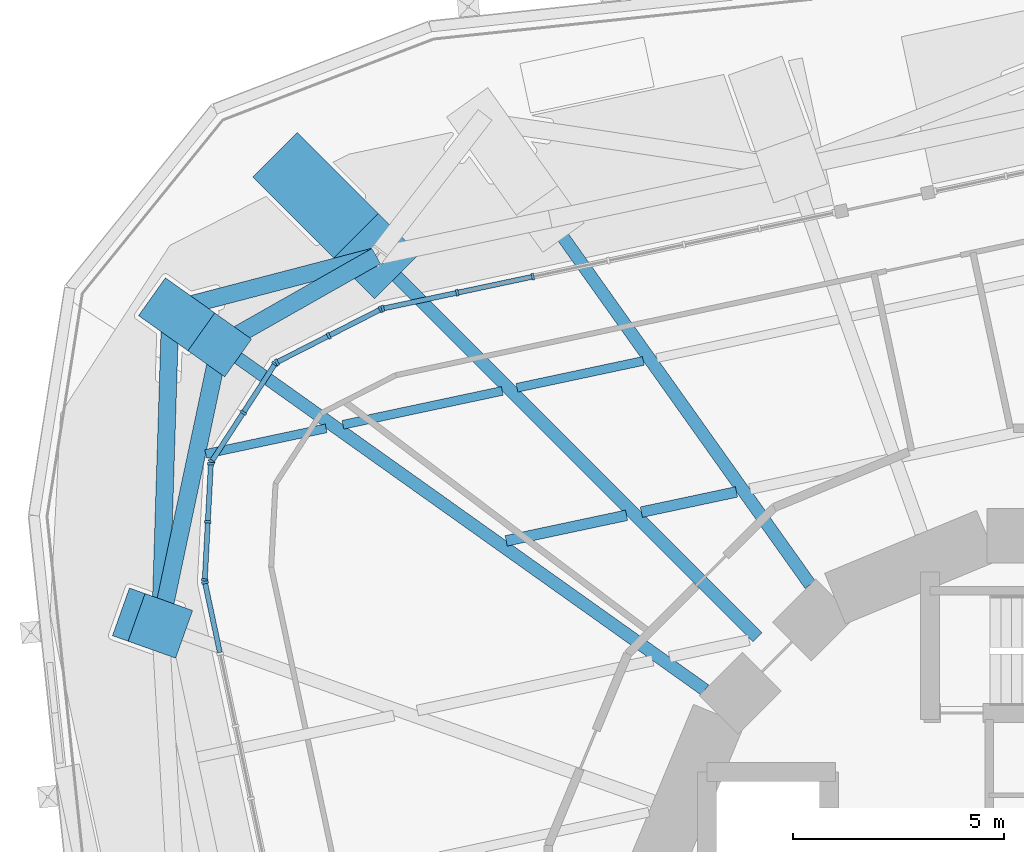
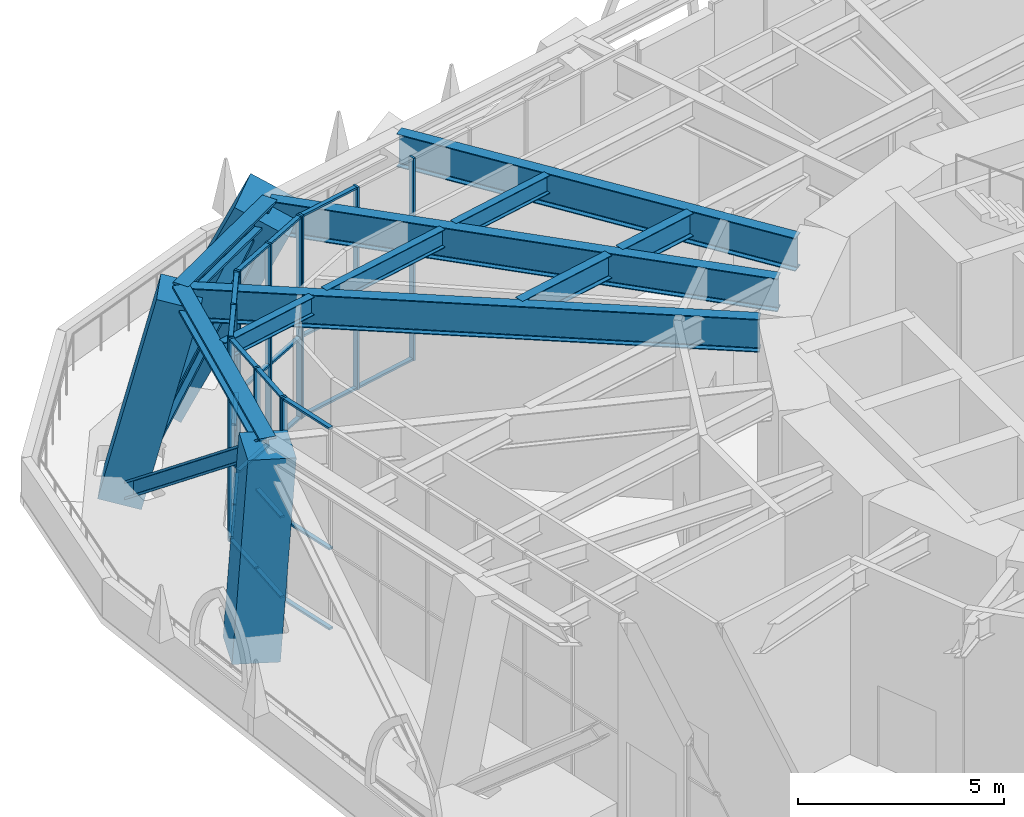
# One storey, part 8 of 23: 45 members, 8 beams, 5 elements without a shape of their own.
"""IFC4 building model written with IfcOpenShell, lengths in metres."""

from ifc_helpers import new_model, si_unit, direction, frame, origin, origin_2d, place, context, subcontext, project, spatial, rectangle, i_section, extrude, material, material_profile, profile_set, type_object, element, aggregate, save


model = new_model("IFC4")

# Units and contexts
model_context = context("Model", 3, precision=1e-05, world=origin(), true_north=direction((0.0, 1.0)))
body_context = subcontext(model_context, "Body", "Model", "MODEL_VIEW")
ifc_project = project(units=[si_unit("LENGTHUNIT", "METRE"), si_unit("AREAUNIT", "SQUARE_METRE"), si_unit("VOLUMEUNIT", "CUBIC_METRE"), si_unit("PLANEANGLEUNIT", "RADIAN"), si_unit("MASSUNIT", "GRAM", prefix="KILO")], contexts=[model_context])

# Site, building, storey
site_placement = place(None, origin())
site = spatial("IfcSite", under=ifc_project, at=site_placement, CompositionType="ELEMENT")
building_placement = place(site_placement, origin())
building = spatial("IfcBuilding", under=site, at=building_placement, Name="Nakasero Lantern House", CompositionType="ELEMENT")
storey_placement = place(building_placement, frame((0.0, 0.0, 95.14990234375)))
storey = spatial("IfcBuildingStorey", under=building, at=storey_placement, Name="L23", CompositionType="ELEMENT", Elevation=95.14990234375)

# Members
ifc_material_1 = material(Name="Steel S355", Category="steel")
ifc_material_profile_1 = material_profile(ifc_material_1, i_section(OverallWidth=0.41845703125, OverallDepth=0.45556640625, WebThickness=0.0419921875, FlangeThickness=0.0673828125, FilletRadius=0.01513671875, at=origin_2d()), Name="UC 356x406x551")
ifc_profile_set_1 = profile_set([ifc_material_profile_1], Name="Steel S355")
member_type_1 = type_object("IfcMemberType", Name="Belt truss chord UC 356x406x551", PredefinedType="CHORD", material=ifc_profile_set_1)
member_1_placement = place(storey_placement, frame((-16.44091796875, 16.44091796875, 5.572265625), z_axis=(-0.869814536213, -0.493378832737, 0.0), x_axis=(0.493378832737, -0.869814536213, 0.0)))
element("IfcMember", 1, at=member_1_placement, inside=storey, type_object=member_type_1, Name="Belt truss top chord T2 B3-C12T", PredefinedType="CHORD", context=body_context, shape_type="SweptSolid", body=[
    extrude(i_section(OverallWidth=0.41845703125, OverallDepth=0.45556640625, WebThickness=0.0419921875, FlangeThickness=0.0673828125, FilletRadius=0.01513671875, at=origin_2d()), origin(), (0.0, 0.0, 1.0), 4.271484375),
])
member_2_placement = place(storey_placement, frame((-20.15625, 14.33349609375, 5.572265625), z_axis=(-0.206833925052, -0.978376066473, 0.0), x_axis=(0.978376066473, -0.206833925052, 0.0)))
element("IfcMember", 2, at=member_2_placement, inside=storey, type_object=member_type_1, Name="Belt truss top chord T2 B3-C13T", PredefinedType="CHORD", context=body_context, shape_type="SweptSolid", body=[
    extrude(i_section(OverallWidth=0.41845703125, OverallDepth=0.45556640625, WebThickness=0.0419921875, FlangeThickness=0.0673828125, FilletRadius=0.01513671875, at=origin_2d()), origin(), (0.0, 0.0, 1.0), 6.81298828125),
])
ifc_material_2 = material(Name="Steel S355", Category="steel")
ifc_material_profile_2 = material_profile(ifc_material_2, i_section(OverallWidth=0.412109375, OverallDepth=0.4365234375, WebThickness=0.035888671875, FlangeThickness=0.05810546875, FilletRadius=0.01513671875, at=origin_2d()), Name="UC 356x406x467")
ifc_profile_set_2 = profile_set([ifc_material_profile_2], Name="Steel S355")
member_type_2 = type_object("IfcMemberType", Name="Belt truss diagonal UC 356x406x467", PredefinedType="BRACE", material=ifc_profile_set_2)
member_3_placement = place(storey_placement, frame((-16.44091796875, 16.44091796875, 5.572265625), z_axis=(-0.623129628635, -0.162498709171, -0.765051393982), x_axis=(0.252339246204, -0.967638829743, 0.0)))
element("IfcMember", 3, at=member_3_placement, inside=storey, type_object=member_type_2, Name="Belt truss diagonal T2-12", PredefinedType="BRACE", context=body_context, shape_type="SweptSolid", body=[
    extrude(i_section(OverallWidth=0.412109375, OverallDepth=0.4365234375, WebThickness=0.035888671875, FlangeThickness=0.05810546875, FilletRadius=0.01513671875, at=origin_2d()), origin(), (0.0, 0.0, 1.0), 7.842529296875),
])
member_4_placement = place(storey_placement, frame((-21.327880859375, 15.16650390625, -0.427734375), z_axis=(-0.024727487549, -0.78058045227, 0.624566016441), x_axis=(0.999498618934, -0.031662450146, 0.0)))
element("IfcMember", 4, at=member_4_placement, inside=storey, type_object=member_type_2, Name="Belt truss diagonal T2-13", PredefinedType="BRACE", context=body_context, shape_type="SweptSolid", body=[
    extrude(i_section(OverallWidth=0.412109375, OverallDepth=0.4365234375, WebThickness=0.035888671875, FlangeThickness=0.05810546875, FilletRadius=0.01513671875, at=origin_2d()), origin(), (0.0, 0.0, 1.0), 9.606689453125),
])

# Beams
ifc_material_3 = material(Name="Steel S355", Category="steel")
ifc_material_profile_3 = material_profile(ifc_material_3, i_section(OverallWidth=0.2099609375, OverallDepth=0.53662109375, WebThickness=0.0107421875, FlangeThickness=0.017333984375, FilletRadius=0.0126953125, at=origin_2d()), Name="UB 533x210x101")
ifc_profile_set_3 = profile_set([ifc_material_profile_3], Name="Steel S355")
beam_type_1 = type_object("IfcBeamType", Name="Infill beam UB 533x210x101", PredefinedType="JOIST", material=ifc_profile_set_3)
beam_1_placement = place(storey_placement, frame((-20.4892578125, 11.746826171875, 5.53173828125), z_axis=(0.978160550121, 0.207850759411, 0.0), x_axis=(-0.207850759411, 0.978160550121, 0.0)))
element("IfcBeam", 5, at=beam_1_placement, inside=storey, type_object=beam_type_1, Name="Infill beam L24 12.1", PredefinedType="JOIST", context=body_context, shape_type="SweptSolid", body=[
    extrude(i_section(OverallWidth=0.2099609375, OverallDepth=0.53662109375, WebThickness=0.0107421875, FlangeThickness=0.017333984375, FilletRadius=0.0126953125, at=origin_2d()), origin(), (0.0, 0.0, 1.0), 2.921142578125),
])
beam_2_placement = place(storey_placement, frame((-17.233154296875, 12.438720703125, 5.53173828125), z_axis=(0.978136843294, 0.207962294158, 0.0), x_axis=(-0.207962294158, 0.978136843294, 0.0)))
element("IfcBeam", 6, at=beam_2_placement, inside=storey, type_object=beam_type_1, Name="Infill beam L24 12.2", PredefinedType="JOIST", context=body_context, shape_type="SweptSolid", body=[
    extrude(i_section(OverallWidth=0.2099609375, OverallDepth=0.53662109375, WebThickness=0.0107421875, FlangeThickness=0.017333984375, FilletRadius=0.0126953125, at=origin_2d()), origin(), (0.0, 0.0, 1.0), 3.863525390625),
])
beam_3_placement = place(storey_placement, frame((-13.104248046875, 13.31640625, 5.53173828125), z_axis=(0.978143865523, 0.207929262829, 0.0), x_axis=(-0.207929262829, 0.978143865523, 0.0)))
element("IfcBeam", 7, at=beam_3_placement, inside=storey, type_object=beam_type_1, Name="Infill beam L24 12.3", PredefinedType="JOIST", context=body_context, shape_type="SweptSolid", body=[
    extrude(i_section(OverallWidth=0.2099609375, OverallDepth=0.53662109375, WebThickness=0.0107421875, FlangeThickness=0.017333984375, FilletRadius=0.0126953125, at=origin_2d()), origin(), (0.0, 0.0, 1.0), 3.064453125),
])
ifc_material_4 = material(Name="Steel S355", Category="steel")
ifc_material_profile_4 = material_profile(ifc_material_4, i_section(OverallWidth=0.253662109375, OverallDepth=0.68359375, WebThickness=0.012451171875, FlangeThickness=0.01904296875, FilletRadius=0.01513671875, at=origin_2d()), Name="UB 686x254x140")
ifc_profile_set_4 = profile_set([ifc_material_profile_4], Name="Steel S355")
beam_type_2 = type_object("IfcBeamType", Name="Infill beam UB 686x254x140", PredefinedType="JOIST", material=ifc_profile_set_4)
beam_4_placement = place(storey_placement, frame((-13.359375, 9.68408203125, 5.458251953125), z_axis=(0.978159488398, 0.20785575589, 0.0), x_axis=(-0.20785575589, 0.978159488398, 0.0)))
element("IfcBeam", 8, at=beam_4_placement, inside=storey, type_object=beam_type_2, Name="Infill beam L24 11.1", PredefinedType="JOIST", context=body_context, shape_type="SweptSolid", body=[
    extrude(i_section(OverallWidth=0.253662109375, OverallDepth=0.68359375, WebThickness=0.012451171875, FlangeThickness=0.01904296875, FilletRadius=0.01513671875, at=origin_2d()), origin(), (0.0, 0.0, 1.0), 2.919921875),
])
beam_5_placement = place(storey_placement, frame((-10.1533203125, 10.365478515625, 5.458251953125), z_axis=(0.978149438519, 0.207903044531, 0.0), x_axis=(-0.207903044531, 0.978149438519, 0.0)))
element("IfcBeam", 9, at=beam_5_placement, inside=storey, type_object=beam_type_2, Name="Infill beam L24 11.2", PredefinedType="JOIST", context=body_context, shape_type="SweptSolid", body=[
    extrude(i_section(OverallWidth=0.253662109375, OverallDepth=0.68359375, WebThickness=0.012451171875, FlangeThickness=0.01904296875, FilletRadius=0.01513671875, at=origin_2d()), origin(), (0.0, 0.0, 1.0), 2.3076171875),
])

# Curtain wall, members
ifc_material_5 = material(Name="Aluminium 6063-T6 and glass", Category="aluminium")
curtain_wall_type = type_object("IfcCurtainWallType", Name="Sky lounge glazing CW-3", PredefinedType="USERDEFINED", material=ifc_material_5)
curtain_wall_1_placement = place(storey_placement, origin())
curtain_wall_1 = element("IfcCurtainWall", 10, at=curtain_wall_1_placement, inside=storey, type_object=curtain_wall_type, Name="Curtain wall CW-3 L23", ObjectType="STICK CURTAIN WALL", PredefinedType="USERDEFINED")
ifc_material_6 = material(Name="Aluminium 6063-T6", Category="aluminium")
ifc_material_profile_5 = material_profile(ifc_material_6, rectangle(XDim=0.06005859375, YDim=0.159912109375, at=origin_2d()), Name="CW-3 mullion 60x160")
ifc_profile_set_5 = profile_set([ifc_material_profile_5], Name="Aluminium 6063-T6")
member_type_3 = type_object("IfcMemberType", Name="Mullion CW-3", PredefinedType="MULLION", material=ifc_profile_set_5)
member_5_placement = place(storey_placement, frame((-12.72802734375, 15.9521484375, 0.0), z_axis=(0.0, 0.0, 1.0), x_axis=(-0.978147600734, -0.207911690818, 0.0)))
member_5 = element("IfcMember", 11, at=member_5_placement, type_object=member_type_3, Name="CW-3 mullion 5", PredefinedType="MULLION", context=body_context, shape_type="SweptSolid", body=[
    extrude(rectangle(XDim=0.06005859375, YDim=0.159912109375, at=origin_2d()), origin(), (0.0, 0.0, 1.0), 6.0),
])
member_6_placement = place(storey_placement, frame((-14.521484375, 15.571044921875, 0.0), z_axis=(0.0, 0.0, 1.0), x_axis=(-0.978147600734, -0.207911690818, 0.0)))
member_6 = element("IfcMember", 12, at=member_6_placement, type_object=member_type_3, Name="CW-3 mullion 6", PredefinedType="MULLION", context=body_context, shape_type="SweptSolid", body=[
    extrude(rectangle(XDim=0.06005859375, YDim=0.159912109375, at=origin_2d()), origin(), (0.0, 0.0, 1.0), 6.0),
])
member_7_placement = place(storey_placement, frame((-16.285400390625, 15.196044921875, 0.0), z_axis=(0.0, 0.0, 1.0), x_axis=(-0.978147600734, -0.207911690818, 0.0)))
member_7 = element("IfcMember", 13, at=member_7_placement, type_object=member_type_3, Name="CW-3 mullion 7", PredefinedType="MULLION", context=body_context, shape_type="SweptSolid", body=[
    extrude(rectangle(XDim=0.06005859375, YDim=0.159912109375, at=origin_2d()), origin(), (0.0, 0.0, 1.0), 6.0),
])

curtain_wall_2_placement = place(storey_placement, origin())
curtain_wall_2 = element("IfcCurtainWall", 14, at=curtain_wall_2_placement, inside=storey, type_object=curtain_wall_type, Name="Curtain wall CW-3 L23", ObjectType="STICK CURTAIN WALL", PredefinedType="USERDEFINED")
member_8_placement = place(storey_placement, frame((-16.34130859375, 15.17626953125, 0.0), z_axis=(0.0, 0.0, 1.0), x_axis=(-0.891006524188, -0.45399049974, 0.0)))
member_8 = element("IfcMember", 15, at=member_8_placement, type_object=member_type_3, Name="CW-3 mullion 1", PredefinedType="MULLION", context=body_context, shape_type="SweptSolid", body=[
    extrude(rectangle(XDim=0.06005859375, YDim=0.159912109375, at=origin_2d()), origin(), (0.0, 0.0, 1.0), 6.0),
])
member_9_placement = place(storey_placement, frame((-17.571533203125, 14.549560546875, 0.0), z_axis=(0.0, 0.0, 1.0), x_axis=(-0.891006524188, -0.45399049974, 0.0)))
member_9 = element("IfcMember", 16, at=member_9_placement, type_object=member_type_3, Name="CW-3 mullion 2", PredefinedType="MULLION", context=body_context, shape_type="SweptSolid", body=[
    extrude(rectangle(XDim=0.06005859375, YDim=0.159912109375, at=origin_2d()), origin(), (0.0, 0.0, 1.0), 6.0),
])
member_10_placement = place(storey_placement, frame((-18.801513671875, 13.9228515625, 0.0), z_axis=(0.0, 0.0, 1.0), x_axis=(-0.891006524188, -0.45399049974, 0.0)))
member_10 = element("IfcMember", 17, at=member_10_placement, type_object=member_type_3, Name="CW-3 mullion 3", PredefinedType="MULLION", context=body_context, shape_type="SweptSolid", body=[
    extrude(rectangle(XDim=0.06005859375, YDim=0.159912109375, at=origin_2d()), origin(), (0.0, 0.0, 1.0), 6.0),
])

curtain_wall_3_placement = place(storey_placement, origin())
curtain_wall_3 = element("IfcCurtainWall", 18, at=curtain_wall_3_placement, inside=storey, type_object=curtain_wall_type, Name="Curtain wall CW-3 L23", ObjectType="STICK CURTAIN WALL", PredefinedType="USERDEFINED")
member_11_placement = place(storey_placement, frame((-18.8447265625, 13.884033203125, 0.0), z_axis=(0.0, 0.0, 1.0), x_axis=(-0.544639035015, -0.838670567945, 0.0)))
member_11 = element("IfcMember", 19, at=member_11_placement, type_object=member_type_3, Name="CW-3 mullion 1", PredefinedType="MULLION", context=body_context, shape_type="SweptSolid", body=[
    extrude(rectangle(XDim=0.06005859375, YDim=0.159912109375, at=origin_2d()), origin(), (0.0, 0.0, 1.0), 6.0),
])
member_12_placement = place(storey_placement, frame((-19.5966796875, 12.72607421875, 0.0), z_axis=(0.0, 0.0, 1.0), x_axis=(-0.544639035015, -0.838670567945, 0.0)))
member_12 = element("IfcMember", 20, at=member_12_placement, type_object=member_type_3, Name="CW-3 mullion 2", PredefinedType="MULLION", context=body_context, shape_type="SweptSolid", body=[
    extrude(rectangle(XDim=0.06005859375, YDim=0.159912109375, at=origin_2d()), origin(), (0.0, 0.0, 1.0), 6.0),
])
member_13_placement = place(storey_placement, frame((-20.348388671875, 11.568359375, 0.0), z_axis=(0.0, 0.0, 1.0), x_axis=(-0.544639035015, -0.838670567945, 0.0)))
member_13 = element("IfcMember", 21, at=member_13_placement, type_object=member_type_3, Name="CW-3 mullion 3", PredefinedType="MULLION", context=body_context, shape_type="SweptSolid", body=[
    extrude(rectangle(XDim=0.06005859375, YDim=0.159912109375, at=origin_2d()), origin(), (0.0, 0.0, 1.0), 6.0),
])

curtain_wall_4_placement = place(storey_placement, origin())
curtain_wall_4 = element("IfcCurtainWall", 22, at=curtain_wall_4_placement, inside=storey, type_object=curtain_wall_type, Name="Curtain wall CW-3 L23", ObjectType="STICK CURTAIN WALL", PredefinedType="USERDEFINED")
member_14_placement = place(storey_placement, frame((-20.366455078125, 11.51318359375, 0.0), z_axis=(0.0, 0.0, 1.0), x_axis=(-0.052335956243, -0.998629534755, 0.0)))
member_14 = element("IfcMember", 23, at=member_14_placement, type_object=member_type_3, Name="CW-3 mullion 1", PredefinedType="MULLION", context=body_context, shape_type="SweptSolid", body=[
    extrude(rectangle(XDim=0.06005859375, YDim=0.159912109375, at=origin_2d()), origin(), (0.0, 0.0, 1.0), 6.0),
])
member_15_placement = place(storey_placement, frame((-20.438720703125, 10.134521484375, 0.0), z_axis=(0.0, 0.0, 1.0), x_axis=(-0.052335956243, -0.998629534755, 0.0)))
member_15 = element("IfcMember", 24, at=member_15_placement, type_object=member_type_3, Name="CW-3 mullion 2", PredefinedType="MULLION", context=body_context, shape_type="SweptSolid", body=[
    extrude(rectangle(XDim=0.06005859375, YDim=0.159912109375, at=origin_2d()), origin(), (0.0, 0.0, 1.0), 6.0),
])
member_16_placement = place(storey_placement, frame((-20.510986328125, 8.755859375, 0.0), z_axis=(0.0, 0.0, 1.0), x_axis=(-0.052335956243, -0.998629534755, 0.0)))
member_16 = element("IfcMember", 25, at=member_16_placement, type_object=member_type_3, Name="CW-3 mullion 3", PredefinedType="MULLION", context=body_context, shape_type="SweptSolid", body=[
    extrude(rectangle(XDim=0.06005859375, YDim=0.159912109375, at=origin_2d()), origin(), (0.0, 0.0, 1.0), 6.0),
])

# Curtain wall, member
curtain_wall_5_placement = place(storey_placement, origin())
curtain_wall_5 = element("IfcCurtainWall", 26, at=curtain_wall_5_placement, inside=storey, type_object=curtain_wall_type, Name="Curtain wall CW-3 L23", ObjectType="STICK CURTAIN WALL", PredefinedType="USERDEFINED")
member_17_placement = place(storey_placement, frame((-20.50634765625, 8.696533203125, 0.0), z_axis=(0.0, 0.0, 1.0), x_axis=(0.207911690818, -0.978147600734, 0.0)))
member_17 = element("IfcMember", 27, at=member_17_placement, type_object=member_type_3, Name="CW-3 mullion 1", PredefinedType="MULLION", context=body_context, shape_type="SweptSolid", body=[
    extrude(rectangle(XDim=0.06005859375, YDim=0.159912109375, at=origin_2d()), origin(), (0.0, 0.0, 1.0), 6.0),
])

# Beams
ifc_material_7 = material(Name="Steel S355", Category="steel")
ifc_material_profile_6 = material_profile(ifc_material_7, i_section(OverallWidth=0.300048828125, OverallDepth=0.97998046875, WebThickness=0.0166015625, FlangeThickness=0.02587890625, FilletRadius=0.030029296875, at=origin_2d()), Name="UB 1016x305x249")
ifc_profile_set_6 = profile_set([ifc_material_profile_6], Name="Steel S355")
beam_type_3 = type_object("IfcBeamType", Name="Primary beam UB 1016x305x249, span 12 to 15 m", PredefinedType="BEAM", material=ifc_profile_set_6)
beam_6_placement = place(storey_placement, frame((-16.44091796875, 16.44091796875, 5.31005859375), z_axis=(0.707106781187, -0.707106781187, 0.0), x_axis=(0.707106781187, 0.707106781187, 0.0)))
element("IfcBeam", 28, at=beam_6_placement, inside=storey, type_object=beam_type_3, Name="Primary beam L24 B3-C12T", PredefinedType="BEAM", context=body_context, shape_type="SweptSolid", body=[
    extrude(i_section(OverallWidth=0.300048828125, OverallDepth=0.97998046875, WebThickness=0.0166015625, FlangeThickness=0.02587890625, FilletRadius=0.030029296875, at=origin_2d()), origin(), (0.0, 0.0, 1.0), 12.793212890625),
])
beam_7_placement = place(storey_placement, frame((-20.15625, 14.33349609375, 5.31005859375), z_axis=(0.814946074386, -0.57953679421, 0.0), x_axis=(0.57953679421, 0.814946074386, 0.0)))
element("IfcBeam", 29, at=beam_7_placement, inside=storey, type_object=beam_type_3, Name="Primary beam L24 B3-C13T", PredefinedType="BEAM", context=body_context, shape_type="SweptSolid", body=[
    extrude(i_section(OverallWidth=0.300048828125, OverallDepth=0.97998046875, WebThickness=0.0166015625, FlangeThickness=0.02587890625, FilletRadius=0.030029296875, at=origin_2d()), origin(), (0.0, 0.0, 1.0), 14.127197265625),
])
ifc_material_8 = material(Name="Steel S355", Category="steel")
ifc_material_profile_7 = material_profile(ifc_material_8, i_section(OverallWidth=0.300048828125, OverallDepth=0.97998046875, WebThickness=0.0166015625, FlangeThickness=0.02587890625, FilletRadius=0.030029296875, at=origin_2d()), Name="UB 1016x305x249")
ifc_profile_set_7 = profile_set([ifc_material_profile_7], Name="Steel S355")
beam_type_4 = type_object("IfcBeamType", Name="Primary beam UB 1016x305x249, span 9 to 12 m", PredefinedType="BEAM", material=ifc_profile_set_7)
beam_8_placement = place(storey_placement, frame((-12.31494140625, 17.318115234375, 5.31005859375), z_axis=(0.579520739774, -0.814957491022, 0.0), x_axis=(0.814957491022, 0.579520739774, 0.0)))
element("IfcBeam", 30, at=beam_8_placement, inside=storey, type_object=beam_type_4, Name="Primary beam L24 B3-C11T", PredefinedType="BEAM", context=body_context, shape_type="SweptSolid", body=[
    extrude(i_section(OverallWidth=0.300048828125, OverallDepth=0.97998046875, WebThickness=0.0166015625, FlangeThickness=0.02587890625, FilletRadius=0.030029296875, at=origin_2d()), origin(), (0.0, 0.0, 1.0), 10.64453125),
])

# Members
ifc_material_9 = material(Name="Concrete C50/60", Category="concrete")
ifc_material_profile_8 = material_profile(ifc_material_9, rectangle(XDim=1.10009765625, YDim=1.10009765625, at=origin_2d()), Name="RC 1100x1100")
ifc_profile_set_8 = profile_set([ifc_material_profile_8], Name="Concrete C50/60")
member_type_4 = type_object("IfcMemberType", Name="Raking column RC 1100x1100 C50/60", PredefinedType="STRUT", material=ifc_profile_set_8)
member_18_placement = place(storey_placement, frame((-21.327880859375, 15.16650390625, -0.427734375), z_axis=(0.189897233812, -0.135013411496, 0.972476436376), x_axis=(0.579453602692, 0.815005228405, 0.0)))
element("IfcMember", 31, at=member_18_placement, inside=storey, type_object=member_type_4, Name="Raking column B3-C13T L23", PredefinedType="STRUT", context=body_context, shape_type="SweptSolid", body=[
    extrude(rectangle(XDim=1.10009765625, YDim=1.10009765625, at=origin_2d()), origin(), (0.0, 0.0, 1.0), 6.169921875),
])
ifc_material_10 = material(Name="Concrete C50/60", Category="concrete")
ifc_material_profile_9 = material_profile(ifc_material_10, rectangle(XDim=1.199951171875, YDim=1.199951171875, at=origin_2d()), Name="RC 1200x1200")
ifc_profile_set_9 = profile_set([ifc_material_profile_9], Name="Concrete C50/60")
member_type_5 = type_object("IfcMemberType", Name="Raking column RC 1200x1200 C50/60", PredefinedType="STRUT", material=ifc_profile_set_9)
member_19_placement = place(storey_placement, frame((-21.935302734375, 7.79931640625, -0.427734375), z_axis=(0.061513972257, -0.021885169008, 0.997866258872), x_axis=(0.335193689964, 0.942149239881, 0.0)))
element("IfcMember", 32, at=member_19_placement, inside=storey, type_object=member_type_5, Name="Raking column B3-C14T L23", PredefinedType="STRUT", context=body_context, shape_type="SweptSolid", body=[
    extrude(rectangle(XDim=1.199951171875, YDim=1.199951171875, at=origin_2d()), origin(), (0.0, 0.0, 1.0), 6.012939453125),
])
ifc_material_11 = material(Name="Concrete C50/60", Category="concrete")
ifc_material_profile_10 = material_profile(ifc_material_11, rectangle(XDim=1.5, YDim=1.5, at=origin_2d()), Name="RC 1500x1500")
ifc_profile_set_10 = profile_set([ifc_material_profile_10], Name="Concrete C50/60")
member_type_6 = type_object("IfcMemberType", Name="Raking column RC 1500x1500 C50/60", PredefinedType="STRUT", material=ifc_profile_set_10)
member_20_placement = place(storey_placement, frame((-18.359375, 18.359375, -0.427734375), z_axis=(0.291341705571, -0.291341705571, 0.911175077134), x_axis=(0.707106781187, 0.707106781187, 0.0)))
element("IfcMember", 33, at=member_20_placement, inside=storey, type_object=member_type_6, Name="Raking column B3-C12T L23", PredefinedType="STRUT", context=body_context, shape_type="SweptSolid", body=[
    extrude(rectangle(XDim=1.5, YDim=1.5, at=origin_2d()), origin(), (0.0, 0.0, 1.0), 6.5849609375),
])

# Member
ifc_material_12 = material(Name="Aluminium 6063-T6", Category="aluminium")
ifc_material_profile_11 = material_profile(ifc_material_12, rectangle(XDim=0.06005859375, YDim=0.1201171875, at=origin_2d()), Name="CW-3 transom 60x120")
ifc_profile_set_11 = profile_set([ifc_material_profile_11], Name="Aluminium 6063-T6")
member_type_7 = type_object("IfcMemberType", Name="Transom CW-3", PredefinedType="USERDEFINED", material=ifc_profile_set_11)
member_21_placement = place(storey_placement, frame((-12.757568359375, 15.946044921875, 0.030029296875), z_axis=(-0.978147651532, -0.207911451832, 0.0), x_axis=(0.0, 0.0, 1.0)))
member_21 = element("IfcMember", 34, at=member_21_placement, type_object=member_type_7, Name="CW-3 transom 5.1", ObjectType="TRANSOM", PredefinedType="USERDEFINED", context=body_context, shape_type="SweptSolid", body=[
    extrude(rectangle(XDim=0.06005859375, YDim=0.1201171875, at=origin_2d()), origin(), (0.0, 0.0, 1.0), 1.773193359375),
])

member_22_placement = place(storey_placement, frame((-14.55078125, 15.56494140625, 0.030029296875), z_axis=(-0.97813927235, -0.207950868925, 0.0), x_axis=(0.0, 0.0, 1.0)))
member_22 = element("IfcMember", 35, at=member_22_placement, type_object=member_type_7, Name="CW-3 transom 6.1", ObjectType="TRANSOM", PredefinedType="USERDEFINED", context=body_context, shape_type="SweptSolid", body=[
    extrude(rectangle(XDim=0.06005859375, YDim=0.1201171875, at=origin_2d()), origin(), (0.0, 0.0, 1.0), 1.743408203125),
])

member_23_placement = place(storey_placement, frame((-14.55078125, 15.56494140625, 2.400146484375), z_axis=(-0.97813927235, -0.207950868925, 0.0), x_axis=(0.0, 0.0, 1.0)))
member_23 = element("IfcMember", 36, at=member_23_placement, type_object=member_type_7, Name="CW-3 transom 6.2", ObjectType="TRANSOM", PredefinedType="USERDEFINED", context=body_context, shape_type="SweptSolid", body=[
    extrude(rectangle(XDim=0.06005859375, YDim=0.1201171875, at=origin_2d()), origin(), (0.0, 0.0, 1.0), 1.743408203125),
])

member_24_placement = place(storey_placement, frame((-14.55078125, 15.56494140625, 5.97021484375), z_axis=(-0.97813927235, -0.207950868925, 0.0), x_axis=(0.0, 0.0, 1.0)))
member_24 = element("IfcMember", 37, at=member_24_placement, type_object=member_type_7, Name="CW-3 transom 6.3", ObjectType="TRANSOM", PredefinedType="USERDEFINED", context=body_context, shape_type="SweptSolid", body=[
    extrude(rectangle(XDim=0.06005859375, YDim=0.1201171875, at=origin_2d()), origin(), (0.0, 0.0, 1.0), 1.743408203125),
])

aggregate(curtain_wall_1, [member_5, member_6, member_7, member_21, member_22, member_23, member_24])

member_25_placement = place(storey_placement, frame((-16.3681640625, 15.16259765625, 0.030029296875), z_axis=(-0.891036674728, -0.453931321116, 0.0), x_axis=(0.0, 0.0, 1.0)))
member_25 = element("IfcMember", 38, at=member_25_placement, type_object=member_type_7, Name="CW-3 transom 1.1", ObjectType="TRANSOM", PredefinedType="USERDEFINED", context=body_context, shape_type="SweptSolid", body=[
    extrude(rectangle(XDim=0.06005859375, YDim=0.1201171875, at=origin_2d()), origin(), (0.0, 0.0, 1.0), 1.3203125),
])

member_26_placement = place(storey_placement, frame((-16.3681640625, 15.16259765625, 2.400146484375), z_axis=(-0.891036674728, -0.453931321116, 0.0), x_axis=(0.0, 0.0, 1.0)))
member_26 = element("IfcMember", 39, at=member_26_placement, type_object=member_type_7, Name="CW-3 transom 1.2", ObjectType="TRANSOM", PredefinedType="USERDEFINED", context=body_context, shape_type="SweptSolid", body=[
    extrude(rectangle(XDim=0.06005859375, YDim=0.1201171875, at=origin_2d()), origin(), (0.0, 0.0, 1.0), 1.3203125),
])

member_27_placement = place(storey_placement, frame((-16.3681640625, 15.16259765625, 5.97021484375), z_axis=(-0.891036674728, -0.453931321116, 0.0), x_axis=(0.0, 0.0, 1.0)))
member_27 = element("IfcMember", 40, at=member_27_placement, type_object=member_type_7, Name="CW-3 transom 1.3", ObjectType="TRANSOM", PredefinedType="USERDEFINED", context=body_context, shape_type="SweptSolid", body=[
    extrude(rectangle(XDim=0.06005859375, YDim=0.1201171875, at=origin_2d()), origin(), (0.0, 0.0, 1.0), 1.3203125),
])

member_28_placement = place(storey_placement, frame((-17.59814453125, 14.535888671875, 0.030029296875), z_axis=(-0.89099999371, -0.454003316297, 0.0), x_axis=(0.0, 0.0, 1.0)))
member_28 = element("IfcMember", 41, at=member_28_placement, type_object=member_type_7, Name="CW-3 transom 2.1", ObjectType="TRANSOM", PredefinedType="USERDEFINED", context=body_context, shape_type="SweptSolid", body=[
    extrude(rectangle(XDim=0.06005859375, YDim=0.1201171875, at=origin_2d()), origin(), (0.0, 0.0, 1.0), 1.32080078125),
])

member_29_placement = place(storey_placement, frame((-17.59814453125, 14.535888671875, 2.400146484375), z_axis=(-0.89099999371, -0.454003316297, 0.0), x_axis=(0.0, 0.0, 1.0)))
member_29 = element("IfcMember", 42, at=member_29_placement, type_object=member_type_7, Name="CW-3 transom 2.2", ObjectType="TRANSOM", PredefinedType="USERDEFINED", context=body_context, shape_type="SweptSolid", body=[
    extrude(rectangle(XDim=0.06005859375, YDim=0.1201171875, at=origin_2d()), origin(), (0.0, 0.0, 1.0), 1.32080078125),
])

member_30_placement = place(storey_placement, frame((-17.59814453125, 14.535888671875, 5.97021484375), z_axis=(-0.89099999371, -0.454003316297, 0.0), x_axis=(0.0, 0.0, 1.0)))
member_30 = element("IfcMember", 43, at=member_30_placement, type_object=member_type_7, Name="CW-3 transom 2.3", ObjectType="TRANSOM", PredefinedType="USERDEFINED", context=body_context, shape_type="SweptSolid", body=[
    extrude(rectangle(XDim=0.06005859375, YDim=0.1201171875, at=origin_2d()), origin(), (0.0, 0.0, 1.0), 1.32080078125),
])

aggregate(curtain_wall_2, [member_8, member_9, member_10, member_25, member_26, member_27, member_28, member_29, member_30])

member_31_placement = place(storey_placement, frame((-18.861083984375, 13.85888671875, 0.030029296875), z_axis=(-0.544591933163, -0.838701154365, 0.0), x_axis=(0.0, 0.0, 1.0)))
member_31 = element("IfcMember", 44, at=member_31_placement, type_object=member_type_7, Name="CW-3 transom 1.1", ObjectType="TRANSOM", PredefinedType="USERDEFINED", context=body_context, shape_type="SweptSolid", body=[
    extrude(rectangle(XDim=0.06005859375, YDim=0.1201171875, at=origin_2d()), origin(), (0.0, 0.0, 1.0), 1.32080078125),
])

member_32_placement = place(storey_placement, frame((-18.861083984375, 13.85888671875, 2.400146484375), z_axis=(-0.544591933163, -0.838701154365, 0.0), x_axis=(0.0, 0.0, 1.0)))
member_32 = element("IfcMember", 45, at=member_32_placement, type_object=member_type_7, Name="CW-3 transom 1.2", ObjectType="TRANSOM", PredefinedType="USERDEFINED", context=body_context, shape_type="SweptSolid", body=[
    extrude(rectangle(XDim=0.06005859375, YDim=0.1201171875, at=origin_2d()), origin(), (0.0, 0.0, 1.0), 1.32080078125),
])

member_33_placement = place(storey_placement, frame((-18.861083984375, 13.85888671875, 5.97021484375), z_axis=(-0.544591933163, -0.838701154365, 0.0), x_axis=(0.0, 0.0, 1.0)))
member_33 = element("IfcMember", 46, at=member_33_placement, type_object=member_type_7, Name="CW-3 transom 1.3", ObjectType="TRANSOM", PredefinedType="USERDEFINED", context=body_context, shape_type="SweptSolid", body=[
    extrude(rectangle(XDim=0.06005859375, YDim=0.1201171875, at=origin_2d()), origin(), (0.0, 0.0, 1.0), 1.32080078125),
])

member_34_placement = place(storey_placement, frame((-19.61279296875, 12.700927734375, 0.030029296875), z_axis=(-0.544676377406, -0.838646316331, 0.0), x_axis=(0.0, 0.0, 1.0)))
member_34 = element("IfcMember", 47, at=member_34_placement, type_object=member_type_7, Name="CW-3 transom 2.1", ObjectType="TRANSOM", PredefinedType="USERDEFINED", context=body_context, shape_type="SweptSolid", body=[
    extrude(rectangle(XDim=0.06005859375, YDim=0.1201171875, at=origin_2d()), origin(), (0.0, 0.0, 1.0), 1.320556640625),
])

member_35_placement = place(storey_placement, frame((-19.61279296875, 12.700927734375, 2.400146484375), z_axis=(-0.544676377406, -0.838646316331, 0.0), x_axis=(0.0, 0.0, 1.0)))
member_35 = element("IfcMember", 48, at=member_35_placement, type_object=member_type_7, Name="CW-3 transom 2.2", ObjectType="TRANSOM", PredefinedType="USERDEFINED", context=body_context, shape_type="SweptSolid", body=[
    extrude(rectangle(XDim=0.06005859375, YDim=0.1201171875, at=origin_2d()), origin(), (0.0, 0.0, 1.0), 1.320556640625),
])

member_36_placement = place(storey_placement, frame((-19.61279296875, 12.700927734375, 5.97021484375), z_axis=(-0.544676377406, -0.838646316331, 0.0), x_axis=(0.0, 0.0, 1.0)))
member_36 = element("IfcMember", 49, at=member_36_placement, type_object=member_type_7, Name="CW-3 transom 2.3", ObjectType="TRANSOM", PredefinedType="USERDEFINED", context=body_context, shape_type="SweptSolid", body=[
    extrude(rectangle(XDim=0.06005859375, YDim=0.1201171875, at=origin_2d()), origin(), (0.0, 0.0, 1.0), 1.320556640625),
])

aggregate(curtain_wall_3, [member_11, member_12, member_13, member_31, member_32, member_33, member_34, member_35, member_36])

member_37_placement = place(storey_placement, frame((-20.367919921875, 11.483154296875, 0.030029296875), z_axis=(-0.052325922447, -0.998630060553, 0.0), x_axis=(0.0, 0.0, 1.0)))
member_37 = element("IfcMember", 50, at=member_37_placement, type_object=member_type_7, Name="CW-3 transom 1.1", ObjectType="TRANSOM", PredefinedType="USERDEFINED", context=body_context, shape_type="SweptSolid", body=[
    extrude(rectangle(XDim=0.06005859375, YDim=0.1201171875, at=origin_2d()), origin(), (0.0, 0.0, 1.0), 1.3203125),
])

member_38_placement = place(storey_placement, frame((-20.367919921875, 11.483154296875, 2.400146484375), z_axis=(-0.052325922447, -0.998630060553, 0.0), x_axis=(0.0, 0.0, 1.0)))
member_38 = element("IfcMember", 51, at=member_38_placement, type_object=member_type_7, Name="CW-3 transom 1.2", ObjectType="TRANSOM", PredefinedType="USERDEFINED", context=body_context, shape_type="SweptSolid", body=[
    extrude(rectangle(XDim=0.06005859375, YDim=0.1201171875, at=origin_2d()), origin(), (0.0, 0.0, 1.0), 1.3203125),
])

member_39_placement = place(storey_placement, frame((-20.367919921875, 11.483154296875, 5.97021484375), z_axis=(-0.052325922447, -0.998630060553, 0.0), x_axis=(0.0, 0.0, 1.0)))
member_39 = element("IfcMember", 52, at=member_39_placement, type_object=member_type_7, Name="CW-3 transom 1.3", ObjectType="TRANSOM", PredefinedType="USERDEFINED", context=body_context, shape_type="SweptSolid", body=[
    extrude(rectangle(XDim=0.06005859375, YDim=0.1201171875, at=origin_2d()), origin(), (0.0, 0.0, 1.0), 1.3203125),
])

member_40_placement = place(storey_placement, frame((-20.440185546875, 10.1044921875, 0.030029296875), z_axis=(-0.052325922447, -0.998630060553, 0.0), x_axis=(0.0, 0.0, 1.0)))
member_40 = element("IfcMember", 53, at=member_40_placement, type_object=member_type_7, Name="CW-3 transom 2.1", ObjectType="TRANSOM", PredefinedType="USERDEFINED", context=body_context, shape_type="SweptSolid", body=[
    extrude(rectangle(XDim=0.06005859375, YDim=0.1201171875, at=origin_2d()), origin(), (0.0, 0.0, 1.0), 1.3203125),
])

member_41_placement = place(storey_placement, frame((-20.440185546875, 10.1044921875, 2.400146484375), z_axis=(-0.052325922447, -0.998630060553, 0.0), x_axis=(0.0, 0.0, 1.0)))
member_41 = element("IfcMember", 54, at=member_41_placement, type_object=member_type_7, Name="CW-3 transom 2.2", ObjectType="TRANSOM", PredefinedType="USERDEFINED", context=body_context, shape_type="SweptSolid", body=[
    extrude(rectangle(XDim=0.06005859375, YDim=0.1201171875, at=origin_2d()), origin(), (0.0, 0.0, 1.0), 1.3203125),
])

member_42_placement = place(storey_placement, frame((-20.440185546875, 10.1044921875, 5.97021484375), z_axis=(-0.052325922447, -0.998630060553, 0.0), x_axis=(0.0, 0.0, 1.0)))
member_42 = element("IfcMember", 55, at=member_42_placement, type_object=member_type_7, Name="CW-3 transom 2.3", ObjectType="TRANSOM", PredefinedType="USERDEFINED", context=body_context, shape_type="SweptSolid", body=[
    extrude(rectangle(XDim=0.06005859375, YDim=0.1201171875, at=origin_2d()), origin(), (0.0, 0.0, 1.0), 1.3203125),
])

aggregate(curtain_wall_4, [member_14, member_15, member_16, member_37, member_38, member_39, member_40, member_41, member_42])

member_43_placement = place(storey_placement, frame((-20.5, 8.667236328125, 0.030029296875), z_axis=(0.207958591886, -0.978137630429, 0.0), x_axis=(0.0, 0.0, 1.0)))
member_43 = element("IfcMember", 56, at=member_43_placement, type_object=member_type_7, Name="CW-3 transom 1.1", ObjectType="TRANSOM", PredefinedType="USERDEFINED", context=body_context, shape_type="SweptSolid", body=[
    extrude(rectangle(XDim=0.06005859375, YDim=0.1201171875, at=origin_2d()), origin(), (0.0, 0.0, 1.0), 1.6669921875),
])

member_44_placement = place(storey_placement, frame((-20.5, 8.667236328125, 2.400146484375), z_axis=(0.207958591886, -0.978137630429, 0.0), x_axis=(0.0, 0.0, 1.0)))
member_44 = element("IfcMember", 57, at=member_44_placement, type_object=member_type_7, Name="CW-3 transom 1.2", ObjectType="TRANSOM", PredefinedType="USERDEFINED", context=body_context, shape_type="SweptSolid", body=[
    extrude(rectangle(XDim=0.06005859375, YDim=0.1201171875, at=origin_2d()), origin(), (0.0, 0.0, 1.0), 1.6669921875),
])

member_45_placement = place(storey_placement, frame((-20.5, 8.667236328125, 5.97021484375), z_axis=(0.207958591886, -0.978137630429, 0.0), x_axis=(0.0, 0.0, 1.0)))
member_45 = element("IfcMember", 58, at=member_45_placement, type_object=member_type_7, Name="CW-3 transom 1.3", ObjectType="TRANSOM", PredefinedType="USERDEFINED", context=body_context, shape_type="SweptSolid", body=[
    extrude(rectangle(XDim=0.06005859375, YDim=0.1201171875, at=origin_2d()), origin(), (0.0, 0.0, 1.0), 1.6669921875),
])

aggregate(curtain_wall_5, [member_17, member_43, member_44, member_45])

save(model, "model.ifc")
